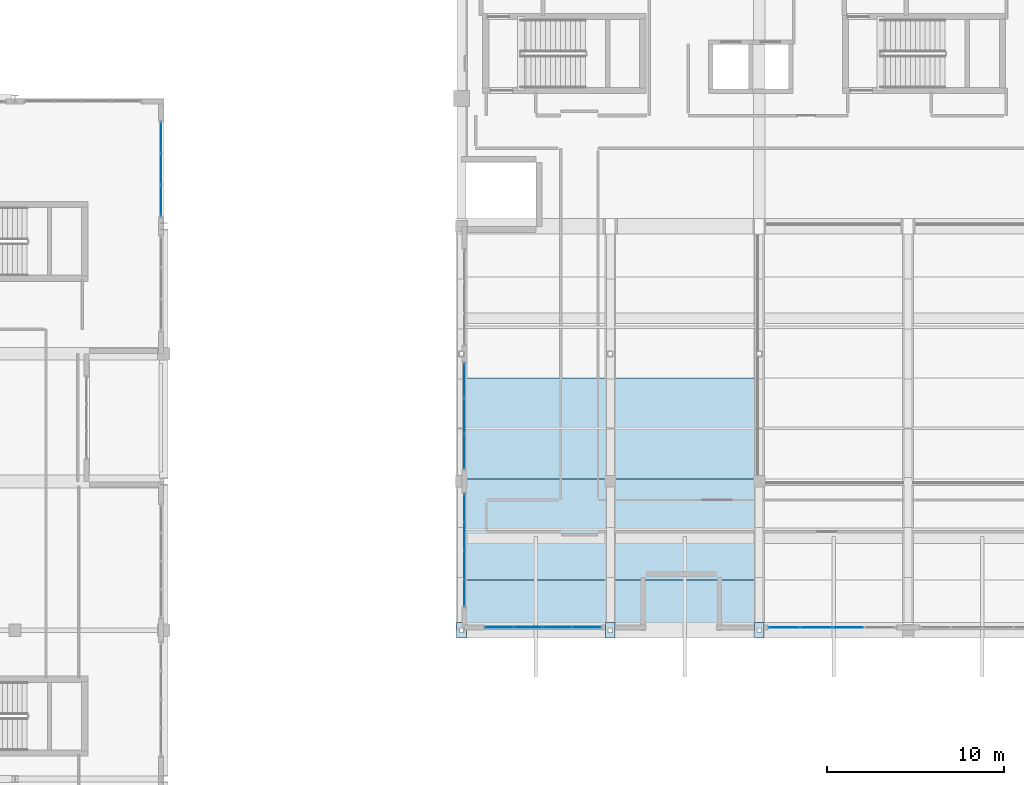
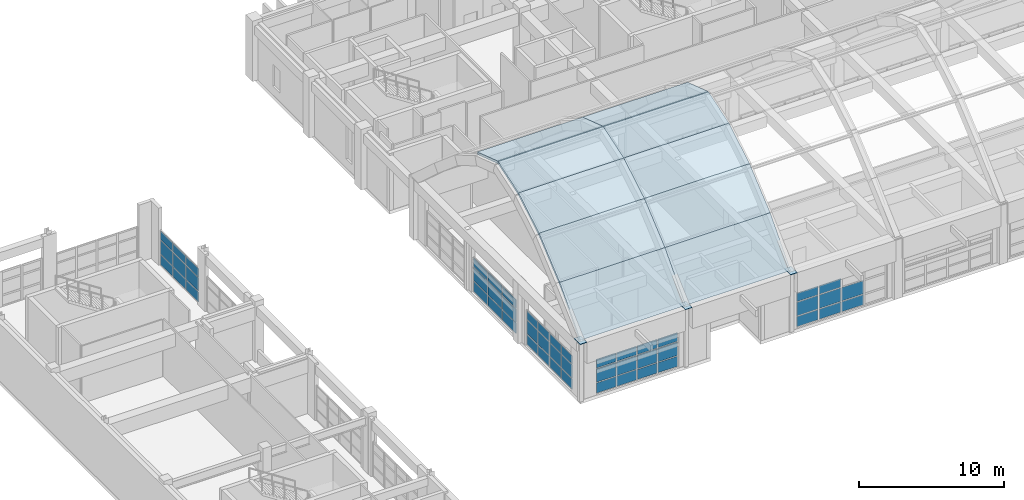
# One storey, part 74 of 103: 53 plates, 10 slabs, 5 elements without a shape of their own.
"""IFC4 building model written with IfcOpenShell, lengths in metres."""

import ifcopenshell
import ifcopenshell.guid

model = None  # the IFC model being written
_history = None  # IfcOwnerHistory: only IFC2X3 demands one
_inside = {}  # id of a spatial element -> (the spatial element, [elements in it])
_under = {}  # id of a project, library or spatial element -> (it, [spatial elements below it])
_declared = {}  # id of a project -> (the project, [libraries it declares])
_typed = {}  # id of a type object -> (the type object, [elements of that type])
_made_of = {}  # id of a material, layer set ... -> (it, [elements and type objects made of it])


def new_model(schema):
    """Start an empty IFC model of exactly this schema.

    Asked for "IFC4X3", IfcOpenShell would pick the latest addendum, in which some entities
    have other attributes; the version numbers below select the first issue.
    IFC2X3 requires an IfcOwnerHistory on every rooted entity: one is made here for all.
    """
    global model, _history
    if schema == "IFC4X3":
        model = ifcopenshell.file(schema_version=(4, 3, 0, 0))
    else:
        model = ifcopenshell.file(schema=schema)
    _inside.clear()
    _under.clear()
    _declared.clear()
    _typed.clear()
    _made_of.clear()
    _history = None
    if model.schema == "IFC2X3":
        org = make("IfcOrganization", Name="unknown")
        user = make(
            "IfcPersonAndOrganization",
            ThePerson=make("IfcPerson", FamilyName="unknown"),
            TheOrganization=org,
        )
        app = make(
            "IfcApplication",
            ApplicationDeveloper=org,
            Version="unknown",
            ApplicationFullName="unknown",
            ApplicationIdentifier="unknown",
        )
        _history = make(
            "IfcOwnerHistory",
            OwningUser=user,
            OwningApplication=app,
            ChangeAction="ADDED",
            CreationDate=0,
        )
    return model


def make(cls, **values):
    """One entity of the class cls with the attributes given. An attribute that is None is left unset."""
    return model.create_entity(
        cls, **{name: value for name, value in values.items() if value is not None}
    )


def rooted(cls, **values):
    """An entity with a GlobalId (a new one), such as an element, a storey or a relation."""
    return make(cls, GlobalId=ifcopenshell.guid.new(), OwnerHistory=_history, **values)


def si_unit(unit_type, name, prefix=None):
    """IfcSIUnit, for example si_unit("LENGTHUNIT", "METRE", prefix="MILLI")."""
    return make("IfcSIUnit", UnitType=unit_type, Prefix=prefix, Name=name)


def assignment(units):
    """IfcUnitAssignment: the units of a project."""
    return None if units is None else make("IfcUnitAssignment", Units=units)


def point(xyz):
    """IfcCartesianPoint."""
    return None if xyz is None else make("IfcCartesianPoint", Coordinates=xyz)


def direction(xyz):
    """IfcDirection."""
    return None if xyz is None else make("IfcDirection", DirectionRatios=xyz)


def frame(location, z_axis=None, x_axis=None):
    """IfcAxis2Placement3D, a coordinate frame: its origin and axes. An axis left out is left unset."""
    return make(
        "IfcAxis2Placement3D",
        Location=point(location),
        Axis=direction(z_axis),
        RefDirection=direction(x_axis),
    )


def frame_2d(location, x_axis=None):
    """IfcAxis2Placement2D, a coordinate frame in the plane: its origin and x axis."""
    return make(
        "IfcAxis2Placement2D", Location=point(location), RefDirection=direction(x_axis)
    )


def origin():
    """The frame at (0, 0, 0) with its axes left unset."""
    return frame((0.0, 0.0, 0.0))


def origin_2d():
    """The frame at (0, 0) in the plane with its x axis left unset."""
    return frame_2d((0.0, 0.0))


def place(relative_to, where):
    """IfcLocalPlacement: puts the frame where relative to a parent placement (None: the world)."""
    return make(
        "IfcLocalPlacement", PlacementRelTo=relative_to, RelativePlacement=where
    )


def context(
    kind, dimensions, precision=None, world=None, true_north=None, identifier=None
):
    """IfcGeometricRepresentationContext, for example the 3D "Model" context."""
    return make(
        "IfcGeometricRepresentationContext",
        ContextIdentifier=identifier,
        ContextType=kind,
        CoordinateSpaceDimension=dimensions,
        Precision=precision,
        WorldCoordinateSystem=world,
        TrueNorth=true_north,
    )


def subcontext(parent, identifier, kind, view, scale=None):
    """IfcGeometricRepresentationSubContext, for example "Body" below "Model"."""
    return make(
        "IfcGeometricRepresentationSubContext",
        ContextIdentifier=identifier,
        ContextType=kind,
        ParentContext=parent,
        TargetScale=scale,
        TargetView=view,
    )


def project(units=None, contexts=None):
    """IfcProject with its units and contexts."""
    return rooted(
        "IfcProject",
        Name="project",
        RepresentationContexts=contexts,
        UnitsInContext=assignment(units),
    )


def spatial(cls, under=None, at=None, **own):
    """A site, building, storey or space (cls), placed at a placement, below another one or the project."""
    s = rooted(cls, ObjectPlacement=at, **own)
    if under is not None:
        _under.setdefault(under.id(), (under, []))[1].append(s)
    return s


def polyline(points):
    """IfcPolyline through the points."""
    return make("IfcPolyline", Points=[point(p) for p in points])


def profile(cls, at=None, kind="AREA", **sizes):
    """A parametric profile (cls). Its sizes go by their IFC names, for example OverallWidth=200.0."""
    return make(cls, ProfileType=kind, Position=at, **sizes)


def rectangle(**sizes):
    """IfcRectangleProfileDef."""
    return profile("IfcRectangleProfileDef", **sizes)


def outline(outer, holes=None, kind="AREA"):
    """IfcArbitraryClosedProfileDef: a profile drawn as a closed curve; with holes, ...WithVoids."""
    if holes is None:
        return make("IfcArbitraryClosedProfileDef", ProfileType=kind, OuterCurve=outer)
    return make(
        "IfcArbitraryProfileDefWithVoids",
        ProfileType=kind,
        OuterCurve=outer,
        InnerCurves=holes,
    )


def extrude(swept, where, along, depth):
    """IfcExtrudedAreaSolid: the profile swept, set in the frame where, extruded along a direction by depth."""
    return make(
        "IfcExtrudedAreaSolid",
        SweptArea=swept,
        Position=where,
        ExtrudedDirection=direction(along),
        Depth=depth,
    )


def shape(context_of_items, identifier, shape_type, items):
    """IfcShapeRepresentation: the items that make up one representation, for example the "Body"."""
    return make(
        "IfcShapeRepresentation",
        ContextOfItems=context_of_items,
        RepresentationIdentifier=identifier,
        RepresentationType=shape_type,
        Items=items,
    )


def material(Name=None, Category=None):
    """IfcMaterial."""
    return make("IfcMaterial", Name=Name, Category=Category)


def layer(
    of_material, thickness, ventilated=None, Name=None, Category=None, Priority=None
):
    """IfcMaterialLayer: one layer of a wall or slab, of a material (None: an air gap)."""
    return make(
        "IfcMaterialLayer",
        Material=of_material,
        LayerThickness=thickness,
        IsVentilated=ventilated,
        Name=Name,
        Category=Category,
        Priority=Priority,
    )


def layer_set(layers, Name=None):
    """IfcMaterialLayerSet."""
    return make("IfcMaterialLayerSet", MaterialLayers=layers, LayerSetName=Name)


def made_of(thing, what):
    """Note that an element or type object is made of a material, layer set ...; save() writes the relation."""
    if what is not None:
        _made_of.setdefault(what.id(), (what, []))[1].append(thing)
    return thing


def type_object(cls, material=None, **own):
    """A type object (cls), such as IfcWallType, which elements share."""
    return made_of(rooted(cls, **own), material)


def element(
    cls,
    number,
    at=None,
    inside=None,
    cuts=None,
    type_object=None,
    material=None,
    context=None,
    identifier="Body",
    shape_type=None,
    held_by="IfcProductDefinitionShape",
    body=None,
    shapes=None,
    **own,
):
    """One element of the class cls, such as IfcWall. Its Tag is "e" and its number.

    at: its placement. inside: the storey or other place that contains it. cuts: it is an
    opening in that element (IfcRelVoidsElement). A single representation is given by context,
    identifier, shape_type and body (its items); several are given by shapes. held_by: the class
    of the entity that holds the representations. save() writes the other relations.
    """
    e = rooted(cls, Tag="e%d" % number, ObjectPlacement=at, **own)
    if body is not None:
        shapes = [shape(context, identifier, shape_type, body)]
    if shapes is not None:
        e.Representation = make(held_by, Representations=shapes)
    if inside is not None:
        _inside.setdefault(inside.id(), (inside, []))[1].append(e)
    if cuts is not None:
        rooted(
            "IfcRelVoidsElement", RelatingBuildingElement=cuts, RelatedOpeningElement=e
        )
    if type_object is not None:
        _typed.setdefault(type_object.id(), (type_object, []))[1].append(e)
    return made_of(e, material)


def aggregate(whole, parts):
    """IfcRelAggregates: a whole, such as a stair, and the parts it consists of."""
    return rooted("IfcRelAggregates", RelatingObject=whole, RelatedObjects=parts)


def save(model, path):
    """Write the relations noted so far, then the file.

    IfcRelAggregates (storeys below a building ...), IfcRelContainedInSpatialStructure (elements
    in a storey), IfcRelDefinesByType, IfcRelAssociatesMaterial and IfcRelDeclares: one each for
    every whole, place, type object, material and project.
    """
    for whole, parts in _under.values():
        aggregate(whole, parts)
    for where, things in _inside.values():
        rooted(
            "IfcRelContainedInSpatialStructure",
            RelatedElements=things,
            RelatingStructure=where,
        )
    for kind, things in _typed.values():
        rooted("IfcRelDefinesByType", RelatedObjects=things, RelatingType=kind)
    for what, things in _made_of.values():
        rooted("IfcRelAssociatesMaterial", RelatedObjects=things, RelatingMaterial=what)
    for by, libraries in _declared.values():
        rooted("IfcRelDeclares", RelatingContext=by, RelatedDefinitions=libraries)
    model.write(path)


model = new_model("IFC4")

# Units and contexts
model_context = context("Model", 3, precision=1e-05, world=origin(), true_north=direction((0.0, 1.0)))
body_context = subcontext(model_context, "Body", "Model", "MODEL_VIEW")
ifc_project = project(units=[si_unit("LENGTHUNIT", "METRE"), si_unit("AREAUNIT", "SQUARE_METRE"), si_unit("VOLUMEUNIT", "CUBIC_METRE"), si_unit("PLANEANGLEUNIT", "RADIAN"), si_unit("MASSUNIT", "GRAM", prefix="KILO")], contexts=[model_context])

# Site, building, storey
site_placement = place(None, origin())
site = spatial("IfcSite", under=ifc_project, at=site_placement, CompositionType="ELEMENT")
building_placement = place(site_placement, origin())
building = spatial("IfcBuilding", under=site, at=building_placement, Name="Quendrovan Civic Courthouse", CompositionType="ELEMENT")
storey_placement = place(building_placement, frame((0.0, 0.0, 15.300048828125)))
storey = spatial("IfcBuildingStorey", under=building, at=storey_placement, Name="L04", CompositionType="ELEMENT", Elevation=15.300048828125)

# Curtain wall, plates
ifc_material_1 = material(Name="Bronze anodised aluminium and low-E glass", Category="aluminium")
ifc_layer_1 = layer(ifc_material_1, 0.179931640625, Name="Bronze anodised aluminium and low-E glass")
ifc_layer_set_1 = layer_set([ifc_layer_1], Name="Bronze anodised aluminium and low-E glass")
curtain_wall_type_1 = type_object("IfcCurtainWallType", Name="CW-U64x30", PredefinedType="USERDEFINED", material=ifc_layer_set_1)
curtain_wall_1_placement = place(storey_placement, origin())
curtain_wall_1 = element("IfcCurtainWall", 1, at=curtain_wall_1_placement, inside=storey, type_object=curtain_wall_type_1, Name="L04 Unitised Hurricane Curtain Wall CW-164", ObjectType="UNITISED CURTAIN WALL", PredefinedType="USERDEFINED")
ifc_material_2 = material(Name="Laminated hurricane-impact low-E glass", Category="glass")
ifc_layer_2 = layer(ifc_material_2, 0.028076171875, Name="Laminated hurricane-impact low-E glass")
ifc_layer_set_2 = layer_set([ifc_layer_2], Name="Laminated hurricane-impact low-E glass")
plate_type_1 = type_object("IfcPlateType", Name="CW-PNL-1", PredefinedType="CURTAIN_PANEL", material=ifc_layer_set_2)
plate_1_placement = place(storey_placement, frame((33.764892578125, 66.920654296875, 0.06982421875), z_axis=(0.0, 0.0, 1.0), x_axis=(0.0, 1.0, 0.0)))
plate_1 = element("IfcPlate", 2, at=plate_1_placement, type_object=plate_type_1, Name="CW-164 panel 1.1", PredefinedType="CURTAIN_PANEL", context=body_context, shape_type="SweptSolid", body=[
    extrude(rectangle(XDim=1.501220703125, YDim=0.028076171875, at=origin_2d()), origin(), (0.0, 0.0, 1.0), 0.844970703125),
])
plate_2_placement = place(storey_placement, frame((33.764892578125, 66.920654296875, 0.985107421875), z_axis=(0.0, 0.0, 1.0), x_axis=(0.0, 1.0, 0.0)))
plate_2 = element("IfcPlate", 3, at=plate_2_placement, type_object=plate_type_1, Name="CW-164 panel 1.2", PredefinedType="CURTAIN_PANEL", context=body_context, shape_type="SweptSolid", body=[
    extrude(rectangle(XDim=1.501220703125, YDim=0.028076171875, at=origin_2d()), origin(), (0.0, 0.0, 1.0), 1.1298828125),
])
plate_3_placement = place(storey_placement, frame((33.764892578125, 66.920654296875, 2.18505859375), z_axis=(0.0, 0.0, 1.0), x_axis=(0.0, 1.0, 0.0)))
plate_3 = element("IfcPlate", 4, at=plate_3_placement, type_object=plate_type_1, Name="CW-164 panel 1.3", PredefinedType="CURTAIN_PANEL", context=body_context, shape_type="SweptSolid", body=[
    extrude(rectangle(XDim=1.501220703125, YDim=0.028076171875, at=origin_2d()), origin(), (0.0, 0.0, 1.0), 0.715087890625),
])
plate_4_placement = place(storey_placement, frame((33.764892578125, 68.50927734375, 0.06982421875), z_axis=(0.0, 0.0, 1.0), x_axis=(0.0, 1.0, 0.0)))
plate_4 = element("IfcPlate", 5, at=plate_4_placement, type_object=plate_type_1, Name="CW-164 panel 2.1", PredefinedType="CURTAIN_PANEL", context=body_context, shape_type="SweptSolid", body=[
    extrude(rectangle(XDim=1.5361328125, YDim=0.028076171875, at=origin_2d()), origin(), (0.0, 0.0, 1.0), 0.844970703125),
])
plate_5_placement = place(storey_placement, frame((33.764892578125, 68.50927734375, 0.985107421875), z_axis=(0.0, 0.0, 1.0), x_axis=(0.0, 1.0, 0.0)))
plate_5 = element("IfcPlate", 6, at=plate_5_placement, type_object=plate_type_1, Name="CW-164 panel 2.2", PredefinedType="CURTAIN_PANEL", context=body_context, shape_type="SweptSolid", body=[
    extrude(rectangle(XDim=1.5361328125, YDim=0.028076171875, at=origin_2d()), origin(), (0.0, 0.0, 1.0), 1.1298828125),
])
plate_6_placement = place(storey_placement, frame((33.764892578125, 68.50927734375, 2.18505859375), z_axis=(0.0, 0.0, 1.0), x_axis=(0.0, 1.0, 0.0)))
plate_6 = element("IfcPlate", 7, at=plate_6_placement, type_object=plate_type_1, Name="CW-164 panel 2.3", PredefinedType="CURTAIN_PANEL", context=body_context, shape_type="SweptSolid", body=[
    extrude(rectangle(XDim=1.5361328125, YDim=0.028076171875, at=origin_2d()), origin(), (0.0, 0.0, 1.0), 0.715087890625),
])
plate_7_placement = place(storey_placement, frame((33.764892578125, 70.11572265625, 0.06982421875), z_axis=(0.0, 0.0, 1.0), x_axis=(0.0, 1.0, 0.0)))
plate_7 = element("IfcPlate", 8, at=plate_7_placement, type_object=plate_type_1, Name="CW-164 panel 3.1", PredefinedType="CURTAIN_PANEL", context=body_context, shape_type="SweptSolid", body=[
    extrude(rectangle(XDim=1.5361328125, YDim=0.028076171875, at=origin_2d()), origin(), (0.0, 0.0, 1.0), 0.844970703125),
])
plate_8_placement = place(storey_placement, frame((33.764892578125, 70.11572265625, 0.985107421875), z_axis=(0.0, 0.0, 1.0), x_axis=(0.0, 1.0, 0.0)))
plate_8 = element("IfcPlate", 9, at=plate_8_placement, type_object=plate_type_1, Name="CW-164 panel 3.2", PredefinedType="CURTAIN_PANEL", context=body_context, shape_type="SweptSolid", body=[
    extrude(rectangle(XDim=1.5361328125, YDim=0.028076171875, at=origin_2d()), origin(), (0.0, 0.0, 1.0), 1.1298828125),
])
plate_9_placement = place(storey_placement, frame((33.764892578125, 70.11572265625, 2.18505859375), z_axis=(0.0, 0.0, 1.0), x_axis=(0.0, 1.0, 0.0)))
plate_9 = element("IfcPlate", 10, at=plate_9_placement, type_object=plate_type_1, Name="CW-164 panel 3.3", PredefinedType="CURTAIN_PANEL", context=body_context, shape_type="SweptSolid", body=[
    extrude(rectangle(XDim=1.5361328125, YDim=0.028076171875, at=origin_2d()), origin(), (0.0, 0.0, 1.0), 0.715087890625),
])
plate_10_placement = place(storey_placement, frame((33.764892578125, 71.704345703125, 0.06982421875), z_axis=(0.0, 0.0, 1.0), x_axis=(0.0, 1.0, 0.0)))
plate_10 = element("IfcPlate", 11, at=plate_10_placement, type_object=plate_type_1, Name="CW-164 panel 4.1", PredefinedType="CURTAIN_PANEL", context=body_context, shape_type="SweptSolid", body=[
    extrude(rectangle(XDim=1.501220703125, YDim=0.028076171875, at=origin_2d()), origin(), (0.0, 0.0, 1.0), 0.844970703125),
])
plate_11_placement = place(storey_placement, frame((33.764892578125, 71.704345703125, 0.985107421875), z_axis=(0.0, 0.0, 1.0), x_axis=(0.0, 1.0, 0.0)))
plate_11 = element("IfcPlate", 12, at=plate_11_placement, type_object=plate_type_1, Name="CW-164 panel 4.2", PredefinedType="CURTAIN_PANEL", context=body_context, shape_type="SweptSolid", body=[
    extrude(rectangle(XDim=1.501220703125, YDim=0.028076171875, at=origin_2d()), origin(), (0.0, 0.0, 1.0), 1.1298828125),
])
plate_12_placement = place(storey_placement, frame((33.764892578125, 71.704345703125, 2.18505859375), z_axis=(0.0, 0.0, 1.0), x_axis=(0.0, 1.0, 0.0)))
plate_12 = element("IfcPlate", 13, at=plate_12_placement, type_object=plate_type_1, Name="CW-164 panel 4.3", PredefinedType="CURTAIN_PANEL", context=body_context, shape_type="SweptSolid", body=[
    extrude(rectangle(XDim=1.501220703125, YDim=0.028076171875, at=origin_2d()), origin(), (0.0, 0.0, 1.0), 0.715087890625),
])
aggregate(curtain_wall_1, [plate_1, plate_2, plate_3, plate_4, plate_5, plate_6, plate_7, plate_8, plate_9, plate_10, plate_11, plate_12])

ifc_layer_3 = layer(ifc_material_1, 0.179931640625, Name="Bronze anodised aluminium and low-E glass")
ifc_layer_set_3 = layer_set([ifc_layer_3], Name="Bronze anodised aluminium and low-E glass")
curtain_wall_type_2 = type_object("IfcCurtainWallType", Name="CW-U60x30", PredefinedType="USERDEFINED", material=ifc_layer_set_3)
curtain_wall_2_placement = place(storey_placement, origin())
curtain_wall_2 = element("IfcCurtainWall", 14, at=curtain_wall_2_placement, inside=storey, type_object=curtain_wall_type_2, Name="L04 Unitised Hurricane Curtain Wall CW-165", ObjectType="UNITISED CURTAIN WALL", PredefinedType="USERDEFINED")
ifc_layer_4 = layer(ifc_material_2, 0.031982421875, Name="Laminated hurricane-impact low-E glass")
ifc_layer_set_4 = layer_set([ifc_layer_4], Name="Laminated hurricane-impact low-E glass")
plate_type_2 = type_object("IfcPlateType", Name="CW-PNL-2", PredefinedType="CURTAIN_PANEL", material=ifc_layer_set_4)
plate_13_placement = place(storey_placement, frame((33.764892578125, 74.8955078125, 0.06494140625), z_axis=(0.0, 0.0, 1.0), x_axis=(0.0, 1.0, 0.0)))
plate_13 = element("IfcPlate", 15, at=plate_13_placement, type_object=plate_type_2, Name="CW-165 panel 1.1", PredefinedType="CURTAIN_PANEL", context=body_context, shape_type="SweptSolid", body=[
    extrude(rectangle(XDim=1.910888671875, YDim=0.031982421875, at=origin_2d()), origin(), (0.0, 0.0, 1.0), 0.8525390625),
])
plate_14_placement = place(storey_placement, frame((33.764892578125, 74.8955078125, 0.982421875), z_axis=(0.0, 0.0, 1.0), x_axis=(0.0, 1.0, 0.0)))
plate_14 = element("IfcPlate", 16, at=plate_14_placement, type_object=plate_type_2, Name="CW-165 panel 1.2", PredefinedType="CURTAIN_PANEL", context=body_context, shape_type="SweptSolid", body=[
    extrude(rectangle(XDim=1.910888671875, YDim=0.031982421875, at=origin_2d()), origin(), (0.0, 0.0, 1.0), 1.135009765625),
])
plate_15_placement = place(storey_placement, frame((33.764892578125, 74.8955078125, 2.1826171875), z_axis=(0.0, 0.0, 1.0), x_axis=(0.0, 1.0, 0.0)))
plate_15 = element("IfcPlate", 17, at=plate_15_placement, type_object=plate_type_2, Name="CW-165 panel 1.3", PredefinedType="CURTAIN_PANEL", context=body_context, shape_type="SweptSolid", body=[
    extrude(rectangle(XDim=1.910888671875, YDim=0.031982421875, at=origin_2d()), origin(), (0.0, 0.0, 1.0), 0.722412109375),
])
plate_16_placement = place(storey_placement, frame((33.764892578125, 76.887451171875, 0.06494140625), z_axis=(0.0, 0.0, 1.0), x_axis=(0.0, 1.0, 0.0)))
plate_16 = element("IfcPlate", 18, at=plate_16_placement, type_object=plate_type_2, Name="CW-165 panel 2.1", PredefinedType="CURTAIN_PANEL", context=body_context, shape_type="SweptSolid", body=[
    extrude(rectangle(XDim=1.943359375, YDim=0.031982421875, at=origin_2d()), origin(), (0.0, 0.0, 1.0), 0.8525390625),
])
plate_17_placement = place(storey_placement, frame((33.764892578125, 76.887451171875, 0.982421875), z_axis=(0.0, 0.0, 1.0), x_axis=(0.0, 1.0, 0.0)))
plate_17 = element("IfcPlate", 19, at=plate_17_placement, type_object=plate_type_2, Name="CW-165 panel 2.2", PredefinedType="CURTAIN_PANEL", context=body_context, shape_type="SweptSolid", body=[
    extrude(rectangle(XDim=1.943359375, YDim=0.031982421875, at=origin_2d()), origin(), (0.0, 0.0, 1.0), 1.135009765625),
])
plate_18_placement = place(storey_placement, frame((33.764892578125, 76.887451171875, 2.1826171875), z_axis=(0.0, 0.0, 1.0), x_axis=(0.0, 1.0, 0.0)))
plate_18 = element("IfcPlate", 20, at=plate_18_placement, type_object=plate_type_2, Name="CW-165 panel 2.3", PredefinedType="CURTAIN_PANEL", context=body_context, shape_type="SweptSolid", body=[
    extrude(rectangle(XDim=1.943359375, YDim=0.031982421875, at=origin_2d()), origin(), (0.0, 0.0, 1.0), 0.722412109375),
])
plate_19_placement = place(storey_placement, frame((33.764892578125, 78.879638671875, 0.06494140625), z_axis=(0.0, 0.0, 1.0), x_axis=(0.0, 1.0, 0.0)))
plate_19 = element("IfcPlate", 21, at=plate_19_placement, type_object=plate_type_2, Name="CW-165 panel 3.1", PredefinedType="CURTAIN_PANEL", context=body_context, shape_type="SweptSolid", body=[
    extrude(rectangle(XDim=1.910888671875, YDim=0.031982421875, at=origin_2d()), origin(), (0.0, 0.0, 1.0), 0.8525390625),
])
plate_20_placement = place(storey_placement, frame((33.764892578125, 78.879638671875, 0.982421875), z_axis=(0.0, 0.0, 1.0), x_axis=(0.0, 1.0, 0.0)))
plate_20 = element("IfcPlate", 22, at=plate_20_placement, type_object=plate_type_2, Name="CW-165 panel 3.2", PredefinedType="CURTAIN_PANEL", context=body_context, shape_type="SweptSolid", body=[
    extrude(rectangle(XDim=1.910888671875, YDim=0.031982421875, at=origin_2d()), origin(), (0.0, 0.0, 1.0), 1.135009765625),
])
plate_21_placement = place(storey_placement, frame((33.764892578125, 78.879638671875, 2.1826171875), z_axis=(0.0, 0.0, 1.0), x_axis=(0.0, 1.0, 0.0)))
plate_21 = element("IfcPlate", 23, at=plate_21_placement, type_object=plate_type_2, Name="CW-165 panel 3.3", PredefinedType="CURTAIN_PANEL", context=body_context, shape_type="SweptSolid", body=[
    extrude(rectangle(XDim=1.910888671875, YDim=0.031982421875, at=origin_2d()), origin(), (0.0, 0.0, 1.0), 0.722412109375),
])
aggregate(curtain_wall_2, [plate_13, plate_14, plate_15, plate_16, plate_17, plate_18, plate_19, plate_20, plate_21])

ifc_layer_5 = layer(ifc_material_1, 0.179931640625, Name="Bronze anodised aluminium and low-E glass")
ifc_layer_set_5 = layer_set([ifc_layer_5], Name="Bronze anodised aluminium and low-E glass")
curtain_wall_type_3 = type_object("IfcCurtainWallType", Name="CW-U54x30", PredefinedType="USERDEFINED", material=ifc_layer_set_5)
curtain_wall_3_placement = place(storey_placement, origin())
curtain_wall_3 = element("IfcCurtainWall", 24, at=curtain_wall_3_placement, inside=storey, type_object=curtain_wall_type_3, Name="L04 Unitised Hurricane Curtain Wall CW-146", ObjectType="UNITISED CURTAIN WALL", PredefinedType="USERDEFINED")
ifc_layer_6 = layer(ifc_material_2, 0.035888671875, Name="Laminated hurricane-impact low-E glass")
ifc_layer_set_6 = layer_set([ifc_layer_6], Name="Laminated hurricane-impact low-E glass")
plate_type_3 = type_object("IfcPlateType", Name="CW-PNL-3", PredefinedType="CURTAIN_PANEL", material=ifc_layer_set_6)
plate_22_placement = place(storey_placement, frame((16.635009765625, 92.588623046875, 0.06982421875), z_axis=(0.0, 0.0, 1.0), x_axis=(0.0, -1.0, 0.0)))
plate_22 = element("IfcPlate", 25, at=plate_22_placement, type_object=plate_type_3, Name="CW-146 panel 1.1", PredefinedType="CURTAIN_PANEL", context=body_context, shape_type="SweptSolid", body=[
    extrude(rectangle(XDim=1.6826171875, YDim=0.035888671875, at=origin_2d()), origin(), (0.0, 0.0, 1.0), 0.844970703125),
])
plate_23_placement = place(storey_placement, frame((16.635009765625, 92.588623046875, 0.985107421875), z_axis=(0.0, 0.0, 1.0), x_axis=(0.0, -1.0, 0.0)))
plate_23 = element("IfcPlate", 26, at=plate_23_placement, type_object=plate_type_3, Name="CW-146 panel 1.2", PredefinedType="CURTAIN_PANEL", context=body_context, shape_type="SweptSolid", body=[
    extrude(rectangle(XDim=1.6826171875, YDim=0.035888671875, at=origin_2d()), origin(), (0.0, 0.0, 1.0), 1.1298828125),
])
plate_24_placement = place(storey_placement, frame((16.635009765625, 92.588623046875, 2.18505859375), z_axis=(0.0, 0.0, 1.0), x_axis=(0.0, -1.0, 0.0)))
plate_24 = element("IfcPlate", 27, at=plate_24_placement, type_object=plate_type_3, Name="CW-146 panel 1.3", PredefinedType="CURTAIN_PANEL", context=body_context, shape_type="SweptSolid", body=[
    extrude(rectangle(XDim=1.6826171875, YDim=0.035888671875, at=origin_2d()), origin(), (0.0, 0.0, 1.0), 0.715087890625),
])
plate_25_placement = place(storey_placement, frame((16.635009765625, 90.818603515625, 0.06982421875), z_axis=(0.0, 0.0, 1.0), x_axis=(0.0, -1.0, 0.0)))
plate_25 = element("IfcPlate", 28, at=plate_25_placement, type_object=plate_type_3, Name="CW-146 panel 2.1", PredefinedType="CURTAIN_PANEL", context=body_context, shape_type="SweptSolid", body=[
    extrude(rectangle(XDim=1.7177734375, YDim=0.035888671875, at=origin_2d()), origin(), (0.0, 0.0, 1.0), 0.844970703125),
])
plate_26_placement = place(storey_placement, frame((16.635009765625, 90.818603515625, 0.985107421875), z_axis=(0.0, 0.0, 1.0), x_axis=(0.0, -1.0, 0.0)))
plate_26 = element("IfcPlate", 29, at=plate_26_placement, type_object=plate_type_3, Name="CW-146 panel 2.2", PredefinedType="CURTAIN_PANEL", context=body_context, shape_type="SweptSolid", body=[
    extrude(rectangle(XDim=1.7177734375, YDim=0.035888671875, at=origin_2d()), origin(), (0.0, 0.0, 1.0), 1.1298828125),
])
plate_27_placement = place(storey_placement, frame((16.635009765625, 90.818603515625, 2.18505859375), z_axis=(0.0, 0.0, 1.0), x_axis=(0.0, -1.0, 0.0)))
plate_27 = element("IfcPlate", 30, at=plate_27_placement, type_object=plate_type_3, Name="CW-146 panel 2.3", PredefinedType="CURTAIN_PANEL", context=body_context, shape_type="SweptSolid", body=[
    extrude(rectangle(XDim=1.7177734375, YDim=0.035888671875, at=origin_2d()), origin(), (0.0, 0.0, 1.0), 0.715087890625),
])
plate_28_placement = place(storey_placement, frame((16.635009765625, 89.04833984375, 0.06982421875), z_axis=(0.0, 0.0, 1.0), x_axis=(0.0, -1.0, 0.0)))
plate_28 = element("IfcPlate", 31, at=plate_28_placement, type_object=plate_type_3, Name="CW-146 panel 3.1", PredefinedType="CURTAIN_PANEL", context=body_context, shape_type="SweptSolid", body=[
    extrude(rectangle(XDim=1.6826171875, YDim=0.035888671875, at=origin_2d()), origin(), (0.0, 0.0, 1.0), 0.844970703125),
])
plate_29_placement = place(storey_placement, frame((16.635009765625, 89.04833984375, 0.985107421875), z_axis=(0.0, 0.0, 1.0), x_axis=(0.0, -1.0, 0.0)))
plate_29 = element("IfcPlate", 32, at=plate_29_placement, type_object=plate_type_3, Name="CW-146 panel 3.2", PredefinedType="CURTAIN_PANEL", context=body_context, shape_type="SweptSolid", body=[
    extrude(rectangle(XDim=1.6826171875, YDim=0.035888671875, at=origin_2d()), origin(), (0.0, 0.0, 1.0), 1.1298828125),
])
plate_30_placement = place(storey_placement, frame((16.635009765625, 89.04833984375, 2.18505859375), z_axis=(0.0, 0.0, 1.0), x_axis=(0.0, -1.0, 0.0)))
plate_30 = element("IfcPlate", 33, at=plate_30_placement, type_object=plate_type_3, Name="CW-146 panel 3.3", PredefinedType="CURTAIN_PANEL", context=body_context, shape_type="SweptSolid", body=[
    extrude(rectangle(XDim=1.6826171875, YDim=0.035888671875, at=origin_2d()), origin(), (0.0, 0.0, 1.0), 0.715087890625),
])
aggregate(curtain_wall_3, [plate_22, plate_23, plate_24, plate_25, plate_26, plate_27, plate_28, plate_29, plate_30])

ifc_layer_7 = layer(ifc_material_1, 0.179931640625, Name="Bronze anodised aluminium and low-E glass")
ifc_layer_set_7 = layer_set([ifc_layer_7], Name="Bronze anodised aluminium and low-E glass")
curtain_wall_type_4 = type_object("IfcCurtainWallType", Name="CW-U72x30", PredefinedType="USERDEFINED", material=ifc_layer_set_7)
curtain_wall_4_placement = place(storey_placement, origin())
curtain_wall_4 = element("IfcCurtainWall", 34, at=curtain_wall_4_placement, inside=storey, type_object=curtain_wall_type_4, Name="L04 Unitised Hurricane Curtain Wall CW-162", ObjectType="UNITISED CURTAIN WALL", PredefinedType="USERDEFINED")
plate_31_placement = place(storey_placement, frame((55.41552734375, 64.965087890625, 0.06982421875), z_axis=(0.0, 0.0, 1.0), x_axis=(-1.0, 0.0, 0.0)))
plate_31 = element("IfcPlate", 35, at=plate_31_placement, type_object=plate_type_3, Name="CW-162 panel 2.1", PredefinedType="CURTAIN_PANEL", context=body_context, shape_type="SweptSolid", body=[
    extrude(rectangle(XDim=1.736328125, YDim=0.035888671875, at=origin_2d()), origin(), (0.0, 0.0, 1.0), 0.844970703125),
])
plate_32_placement = place(storey_placement, frame((55.41552734375, 64.965087890625, 0.985107421875), z_axis=(0.0, 0.0, 1.0), x_axis=(-1.0, 0.0, 0.0)))
plate_32 = element("IfcPlate", 36, at=plate_32_placement, type_object=plate_type_3, Name="CW-162 panel 2.2", PredefinedType="CURTAIN_PANEL", context=body_context, shape_type="SweptSolid", body=[
    extrude(rectangle(XDim=1.736328125, YDim=0.035888671875, at=origin_2d()), origin(), (0.0, 0.0, 1.0), 1.1298828125),
])
plate_33_placement = place(storey_placement, frame((53.609375, 64.965087890625, 0.06982421875), z_axis=(0.0, 0.0, 1.0), x_axis=(-1.0, 0.0, 0.0)))
plate_33 = element("IfcPlate", 37, at=plate_33_placement, type_object=plate_type_3, Name="CW-162 panel 3.1", PredefinedType="CURTAIN_PANEL", context=body_context, shape_type="SweptSolid", body=[
    extrude(rectangle(XDim=1.736328125, YDim=0.035888671875, at=origin_2d()), origin(), (0.0, 0.0, 1.0), 0.844970703125),
])
plate_34_placement = place(storey_placement, frame((53.609375, 64.965087890625, 0.985107421875), z_axis=(0.0, 0.0, 1.0), x_axis=(-1.0, 0.0, 0.0)))
plate_34 = element("IfcPlate", 38, at=plate_34_placement, type_object=plate_type_3, Name="CW-162 panel 3.2", PredefinedType="CURTAIN_PANEL", context=body_context, shape_type="SweptSolid", body=[
    extrude(rectangle(XDim=1.736328125, YDim=0.035888671875, at=origin_2d()), origin(), (0.0, 0.0, 1.0), 1.1298828125),
])
plate_35_placement = place(storey_placement, frame((53.609375, 64.965087890625, 2.18505859375), z_axis=(0.0, 0.0, 1.0), x_axis=(-1.0, 0.0, 0.0)))
plate_35 = element("IfcPlate", 39, at=plate_35_placement, type_object=plate_type_3, Name="CW-162 panel 3.3", PredefinedType="CURTAIN_PANEL", context=body_context, shape_type="SweptSolid", body=[
    extrude(rectangle(XDim=1.736328125, YDim=0.035888671875, at=origin_2d()), origin(), (0.0, 0.0, 1.0), 0.715087890625),
])
plate_36_placement = place(storey_placement, frame((51.820556640625, 64.965087890625, 0.06982421875), z_axis=(0.0, 0.0, 1.0), x_axis=(-1.0, 0.0, 0.0)))
plate_36 = element("IfcPlate", 40, at=plate_36_placement, type_object=plate_type_3, Name="CW-162 panel 4.1", PredefinedType="CURTAIN_PANEL", context=body_context, shape_type="SweptSolid", body=[
    extrude(rectangle(XDim=1.701171875, YDim=0.035888671875, at=origin_2d()), origin(), (0.0, 0.0, 1.0), 0.844970703125),
])
plate_37_placement = place(storey_placement, frame((51.820556640625, 64.965087890625, 0.985107421875), z_axis=(0.0, 0.0, 1.0), x_axis=(-1.0, 0.0, 0.0)))
plate_37 = element("IfcPlate", 41, at=plate_37_placement, type_object=plate_type_3, Name="CW-162 panel 4.2", PredefinedType="CURTAIN_PANEL", context=body_context, shape_type="SweptSolid", body=[
    extrude(rectangle(XDim=1.701171875, YDim=0.035888671875, at=origin_2d()), origin(), (0.0, 0.0, 1.0), 1.1298828125),
])
plate_38_placement = place(storey_placement, frame((51.820556640625, 64.965087890625, 2.18505859375), z_axis=(0.0, 0.0, 1.0), x_axis=(-1.0, 0.0, 0.0)))
plate_38 = element("IfcPlate", 42, at=plate_38_placement, type_object=plate_type_3, Name="CW-162 panel 4.3", PredefinedType="CURTAIN_PANEL", context=body_context, shape_type="SweptSolid", body=[
    extrude(rectangle(XDim=1.701171875, YDim=0.035888671875, at=origin_2d()), origin(), (0.0, 0.0, 1.0), 0.715087890625),
])
aggregate(curtain_wall_4, [plate_31, plate_32, plate_33, plate_34, plate_35, plate_36, plate_37, plate_38])

ifc_layer_8 = layer(ifc_material_1, 0.179931640625, Name="Bronze anodised aluminium and low-E glass")
ifc_layer_set_8 = layer_set([ifc_layer_8], Name="Bronze anodised aluminium and low-E glass")
curtain_wall_type_5 = type_object("IfcCurtainWallType", Name="CW-U66x30", PredefinedType="USERDEFINED", material=ifc_layer_set_8)
curtain_wall_5_placement = place(storey_placement, origin())
curtain_wall_5 = element("IfcCurtainWall", 43, at=curtain_wall_5_placement, inside=storey, type_object=curtain_wall_type_5, Name="L04 Unitised Hurricane Curtain Wall CW-163", ObjectType="UNITISED CURTAIN WALL", PredefinedType="USERDEFINED")
ifc_layer_9 = layer(ifc_material_2, 0.0419921875, Name="Laminated hurricane-impact low-E glass")
ifc_layer_set_9 = layer_set([ifc_layer_9], Name="Laminated hurricane-impact low-E glass")
plate_type_4 = type_object("IfcPlateType", Name="CW-PNL-4", PredefinedType="CURTAIN_PANEL", material=ifc_layer_set_9)
plate_39_placement = place(storey_placement, frame((40.65869140625, 64.965087890625, 0.06494140625), z_axis=(0.0, 0.0, 1.0), x_axis=(-1.0, 0.0, 0.0)))
plate_39 = element("IfcPlate", 44, at=plate_39_placement, type_object=plate_type_4, Name="CW-163 panel 1.1", PredefinedType="CURTAIN_PANEL", context=body_context, shape_type="SweptSolid", body=[
    extrude(rectangle(XDim=1.552490234375, YDim=0.0419921875, at=origin_2d()), origin(), (0.0, 0.0, 1.0), 0.8525390625),
])
plate_40_placement = place(storey_placement, frame((40.65869140625, 64.965087890625, 0.982421875), z_axis=(0.0, 0.0, 1.0), x_axis=(-1.0, 0.0, 0.0)))
plate_40 = element("IfcPlate", 45, at=plate_40_placement, type_object=plate_type_4, Name="CW-163 panel 1.2", PredefinedType="CURTAIN_PANEL", context=body_context, shape_type="SweptSolid", body=[
    extrude(rectangle(XDim=1.552490234375, YDim=0.0419921875, at=origin_2d()), origin(), (0.0, 0.0, 1.0), 1.135009765625),
])
plate_41_placement = place(storey_placement, frame((40.65869140625, 64.965087890625, 2.1826171875), z_axis=(0.0, 0.0, 1.0), x_axis=(-1.0, 0.0, 0.0)))
plate_41 = element("IfcPlate", 46, at=plate_41_placement, type_object=plate_type_4, Name="CW-163 panel 1.3", PredefinedType="CURTAIN_PANEL", context=body_context, shape_type="SweptSolid", body=[
    extrude(rectangle(XDim=1.552490234375, YDim=0.0419921875, at=origin_2d()), origin(), (0.0, 0.0, 1.0), 0.722412109375),
])
plate_42_placement = place(storey_placement, frame((39.02490234375, 64.965087890625, 0.06494140625), z_axis=(0.0, 0.0, 1.0), x_axis=(-1.0, 0.0, 0.0)))
plate_42 = element("IfcPlate", 47, at=plate_42_placement, type_object=plate_type_4, Name="CW-163 panel 2.1", PredefinedType="CURTAIN_PANEL", context=body_context, shape_type="SweptSolid", body=[
    extrude(rectangle(XDim=1.5849609375, YDim=0.0419921875, at=origin_2d()), origin(), (0.0, 0.0, 1.0), 0.8525390625),
])
plate_43_placement = place(storey_placement, frame((39.02490234375, 64.965087890625, 0.982421875), z_axis=(0.0, 0.0, 1.0), x_axis=(-1.0, 0.0, 0.0)))
plate_43 = element("IfcPlate", 48, at=plate_43_placement, type_object=plate_type_4, Name="CW-163 panel 2.2", PredefinedType="CURTAIN_PANEL", context=body_context, shape_type="SweptSolid", body=[
    extrude(rectangle(XDim=1.5849609375, YDim=0.0419921875, at=origin_2d()), origin(), (0.0, 0.0, 1.0), 1.135009765625),
])
plate_44_placement = place(storey_placement, frame((39.02490234375, 64.965087890625, 2.1826171875), z_axis=(0.0, 0.0, 1.0), x_axis=(-1.0, 0.0, 0.0)))
plate_44 = element("IfcPlate", 49, at=plate_44_placement, type_object=plate_type_4, Name="CW-163 panel 2.3", PredefinedType="CURTAIN_PANEL", context=body_context, shape_type="SweptSolid", body=[
    extrude(rectangle(XDim=1.5849609375, YDim=0.0419921875, at=origin_2d()), origin(), (0.0, 0.0, 1.0), 0.722412109375),
])
plate_45_placement = place(storey_placement, frame((37.375, 64.965087890625, 0.06494140625), z_axis=(0.0, 0.0, 1.0), x_axis=(-1.0, 0.0, 0.0)))
plate_45 = element("IfcPlate", 50, at=plate_45_placement, type_object=plate_type_4, Name="CW-163 panel 3.1", PredefinedType="CURTAIN_PANEL", context=body_context, shape_type="SweptSolid", body=[
    extrude(rectangle(XDim=1.5849609375, YDim=0.0419921875, at=origin_2d()), origin(), (0.0, 0.0, 1.0), 0.8525390625),
])
plate_46_placement = place(storey_placement, frame((37.375, 64.965087890625, 0.982421875), z_axis=(0.0, 0.0, 1.0), x_axis=(-1.0, 0.0, 0.0)))
plate_46 = element("IfcPlate", 51, at=plate_46_placement, type_object=plate_type_4, Name="CW-163 panel 3.2", PredefinedType="CURTAIN_PANEL", context=body_context, shape_type="SweptSolid", body=[
    extrude(rectangle(XDim=1.5849609375, YDim=0.0419921875, at=origin_2d()), origin(), (0.0, 0.0, 1.0), 1.135009765625),
])
plate_47_placement = place(storey_placement, frame((37.375, 64.965087890625, 2.1826171875), z_axis=(0.0, 0.0, 1.0), x_axis=(-1.0, 0.0, 0.0)))
plate_47 = element("IfcPlate", 52, at=plate_47_placement, type_object=plate_type_4, Name="CW-163 panel 3.3", PredefinedType="CURTAIN_PANEL", context=body_context, shape_type="SweptSolid", body=[
    extrude(rectangle(XDim=1.5849609375, YDim=0.0419921875, at=origin_2d()), origin(), (0.0, 0.0, 1.0), 0.722412109375),
])
plate_48_placement = place(storey_placement, frame((35.7412109375, 64.965087890625, 0.06494140625), z_axis=(0.0, 0.0, 1.0), x_axis=(-1.0, 0.0, 0.0)))
plate_48 = element("IfcPlate", 53, at=plate_48_placement, type_object=plate_type_4, Name="CW-163 panel 4.1", PredefinedType="CURTAIN_PANEL", context=body_context, shape_type="SweptSolid", body=[
    extrude(rectangle(XDim=1.552490234375, YDim=0.0419921875, at=origin_2d()), origin(), (0.0, 0.0, 1.0), 0.8525390625),
])
plate_49_placement = place(storey_placement, frame((35.7412109375, 64.965087890625, 0.982421875), z_axis=(0.0, 0.0, 1.0), x_axis=(-1.0, 0.0, 0.0)))
plate_49 = element("IfcPlate", 54, at=plate_49_placement, type_object=plate_type_4, Name="CW-163 panel 4.2", PredefinedType="CURTAIN_PANEL", context=body_context, shape_type="SweptSolid", body=[
    extrude(rectangle(XDim=1.552490234375, YDim=0.0419921875, at=origin_2d()), origin(), (0.0, 0.0, 1.0), 1.135009765625),
])
plate_50_placement = place(storey_placement, frame((35.7412109375, 64.965087890625, 2.1826171875), z_axis=(0.0, 0.0, 1.0), x_axis=(-1.0, 0.0, 0.0)))
plate_50 = element("IfcPlate", 55, at=plate_50_placement, type_object=plate_type_4, Name="CW-163 panel 4.3", PredefinedType="CURTAIN_PANEL", context=body_context, shape_type="SweptSolid", body=[
    extrude(rectangle(XDim=1.552490234375, YDim=0.0419921875, at=origin_2d()), origin(), (0.0, 0.0, 1.0), 0.722412109375),
])
aggregate(curtain_wall_5, [plate_39, plate_40, plate_41, plate_42, plate_43, plate_44, plate_45, plate_46, plate_47, plate_48, plate_49, plate_50])

# Plates
ifc_material_3 = material(Name="Steel ASTM A572 Grade 50", Category="steel")
ifc_layer_10 = layer(ifc_material_3, 0.0400390625, Name="Steel ASTM A572 Grade 50")
ifc_layer_set_10 = layer_set([ifc_layer_10], Name="Steel ASTM A572 Grade 50")
plate_type_5 = type_object("IfcPlateType", Name="PLT-BASE-40", PredefinedType="USERDEFINED", material=ifc_layer_set_10)
for number, where, z_axis, x_axis, name in (
    (56, (33.60009765625, 64.800048828125, 5.059814453125), (0.0, 0.0, 1.0), (1.0, 0.0, 0.0), "BV2 Vault Springing Bearing Plate A1-S"),
    (57, (42.0, 64.800048828125, 5.059814453125), (0.0, 0.0, 1.0), (1.0, 0.0, 0.0), "BV2 Vault Springing Bearing Plate A2-S"),
    (58, (50.39990234375, 64.800048828125, 5.059814453125), (0.0, 0.0, 1.0), (1.0, 0.0, 0.0), "BV2 Vault Springing Bearing Plate A3-S"),
):
    element("IfcPlate", number, at=place(storey_placement, frame(where, z_axis=z_axis, x_axis=x_axis)), inside=storey, type_object=plate_type_5, Name=name, ObjectType="BASE PLATE", PredefinedType="USERDEFINED", context=body_context, shape_type="SweptSolid", body=[
        extrude(rectangle(XDim=0.550048828125, YDim=0.85009765625, at=origin_2d()), origin(), (0.0, 0.0, 1.0), 0.0400390625),
    ])

# Slabs
ifc_material_4 = material(Name="Concrete C40/50", Category="concrete")
ifc_layer_11 = layer(ifc_material_4, 0.199951171875, Name="Concrete C40/50")
ifc_layer_set_11 = layer_set([ifc_layer_11], Name="Concrete C40/50")
slab_type = type_object("IfcSlabType", Name="SLB-VAULT-200", PredefinedType="ROOF", material=ifc_layer_set_11)
slab_1_placement = place(storey_placement, frame((33.60009765625, 64.800048828125, 5.099853515625), z_axis=(0.0, -0.742291438004, 0.670077175456), x_axis=(1.0, 0.0, 0.0)))
element("IfcSlab", 59, at=slab_1_placement, inside=storey, type_object=slab_type, Name="BV2 Concrete Barrel Vault Shell Panel B1-C1", PredefinedType="ROOF", context=body_context, shape_type="SweptSolid", body=[
    extrude(outline(polyline([(0.0, 0.0), (8.39990234375, 0.0), (8.39990234375, 4.253022815897878), (0.0, 4.253022815897878), (0.0, 0.0)])), origin(), (0.0, 0.0, -1.0), 0.199951171875),
])
slab_2_placement = place(storey_placement, frame((33.60009765625, 67.64990234375, 8.2568359375), z_axis=(0.0, -0.647121264214, 0.762387086329), x_axis=(1.0, 0.0, 0.0)))
element("IfcSlab", 60, at=slab_2_placement, inside=storey, type_object=slab_type, Name="BV2 Concrete Barrel Vault Shell Panel B1-C2", PredefinedType="ROOF", context=body_context, shape_type="SweptSolid", body=[
    extrude(outline(polyline([(0.0, 0.0), (8.39990234375, 0.0), (8.39990234375, 3.7383865851825675), (0.0, 3.7383865851825675), (0.0, 0.0)])), origin(), (0.0, 0.0, -1.0), 0.199951171875),
])
slab_3_placement = place(storey_placement, frame((33.60009765625, 70.5, 10.676025390625), z_axis=(0.0, -0.508003267889, 0.861355141515), x_axis=(1.0, 0.0, 0.0)))
element("IfcSlab", 61, at=slab_3_placement, inside=storey, type_object=slab_type, Name="BV2 Concrete Barrel Vault Shell Panel B1-C3", PredefinedType="ROOF", context=body_context, shape_type="SweptSolid", body=[
    extrude(outline(polyline([(0.0, 0.0), (8.39990234375, 0.0), (8.39990234375, 3.3088531302393376), (0.0, 3.3088531302393376), (0.0, 0.0)])), origin(), (0.0, 0.0, -1.0), 0.199951171875),
])
for number, where, z_axis, x_axis, name in (
    (62, (33.60009765625, 73.35009765625, 12.35693359375), (0.0, -0.315536366073, 0.948913484826), (1.0, 0.0, 0.0), "BV2 Concrete Barrel Vault Shell Panel B1-C4"),
    (63, (33.60009765625, 76.235107421875, 13.29296875), (0.0, 0.315536366073, 0.948913484826), (1.0, 0.0, 0.0), "BV2 Concrete Barrel Vault Shell Panel B1-C5"),
):
    element("IfcSlab", number, at=place(storey_placement, frame(where, z_axis=z_axis, x_axis=x_axis)), inside=storey, type_object=slab_type, Name=name, PredefinedType="ROOF", context=body_context, shape_type="SweptSolid", body=[
        extrude(outline(polyline([(0.0, 0.0), (8.39990234375, 0.0), (8.39990234375, 2.9664889911066066), (0.0, 2.9664889911066066), (0.0, 0.0)])), origin(), (0.0, 0.0, -1.0), 0.199951171875),
    ])
slab_4_placement = place(storey_placement, frame((42.0, 64.800048828125, 5.099853515625), z_axis=(0.0, -0.742291438004, 0.670077175456), x_axis=(1.0, 0.0, 0.0)))
element("IfcSlab", 64, at=slab_4_placement, inside=storey, type_object=slab_type, Name="BV2 Concrete Barrel Vault Shell Panel B2-C1", PredefinedType="ROOF", context=body_context, shape_type="SweptSolid", body=[
    extrude(outline(polyline([(0.0, 0.0), (8.39990234375, 0.0), (8.39990234375, 4.253022815897878), (0.0, 4.253022815897878), (0.0, 0.0)])), origin(), (0.0, 0.0, -1.0), 0.199951171875),
])
slab_5_placement = place(storey_placement, frame((42.0, 67.64990234375, 8.2568359375), z_axis=(0.0, -0.647121264214, 0.762387086329), x_axis=(1.0, 0.0, 0.0)))
element("IfcSlab", 65, at=slab_5_placement, inside=storey, type_object=slab_type, Name="BV2 Concrete Barrel Vault Shell Panel B2-C2", PredefinedType="ROOF", context=body_context, shape_type="SweptSolid", body=[
    extrude(outline(polyline([(0.0, 0.0), (8.39990234375, 0.0), (8.39990234375, 3.7383865851825675), (0.0, 3.7383865851825675), (0.0, 0.0)])), origin(), (0.0, 0.0, -1.0), 0.199951171875),
])
slab_6_placement = place(storey_placement, frame((42.0, 70.5, 10.676025390625), z_axis=(0.0, -0.508003267889, 0.861355141515), x_axis=(1.0, 0.0, 0.0)))
element("IfcSlab", 66, at=slab_6_placement, inside=storey, type_object=slab_type, Name="BV2 Concrete Barrel Vault Shell Panel B2-C3", PredefinedType="ROOF", context=body_context, shape_type="SweptSolid", body=[
    extrude(outline(polyline([(0.0, 0.0), (8.39990234375, 0.0), (8.39990234375, 3.3088531302393376), (0.0, 3.3088531302393376), (0.0, 0.0)])), origin(), (0.0, 0.0, -1.0), 0.199951171875),
])
for number, where, z_axis, x_axis, name in (
    (67, (42.0, 73.35009765625, 12.35693359375), (0.0, -0.315536366073, 0.948913484826), (1.0, 0.0, 0.0), "BV2 Concrete Barrel Vault Shell Panel B2-C4"),
    (68, (42.0, 76.235107421875, 13.29296875), (0.0, 0.315536366073, 0.948913484826), (1.0, 0.0, 0.0), "BV2 Concrete Barrel Vault Shell Panel B2-C5"),
):
    element("IfcSlab", number, at=place(storey_placement, frame(where, z_axis=z_axis, x_axis=x_axis)), inside=storey, type_object=slab_type, Name=name, PredefinedType="ROOF", context=body_context, shape_type="SweptSolid", body=[
        extrude(outline(polyline([(0.0, 0.0), (8.39990234375, 0.0), (8.39990234375, 2.9664889911066066), (0.0, 2.9664889911066066), (0.0, 0.0)])), origin(), (0.0, 0.0, -1.0), 0.199951171875),
    ])

save(model, "model.ifc")
